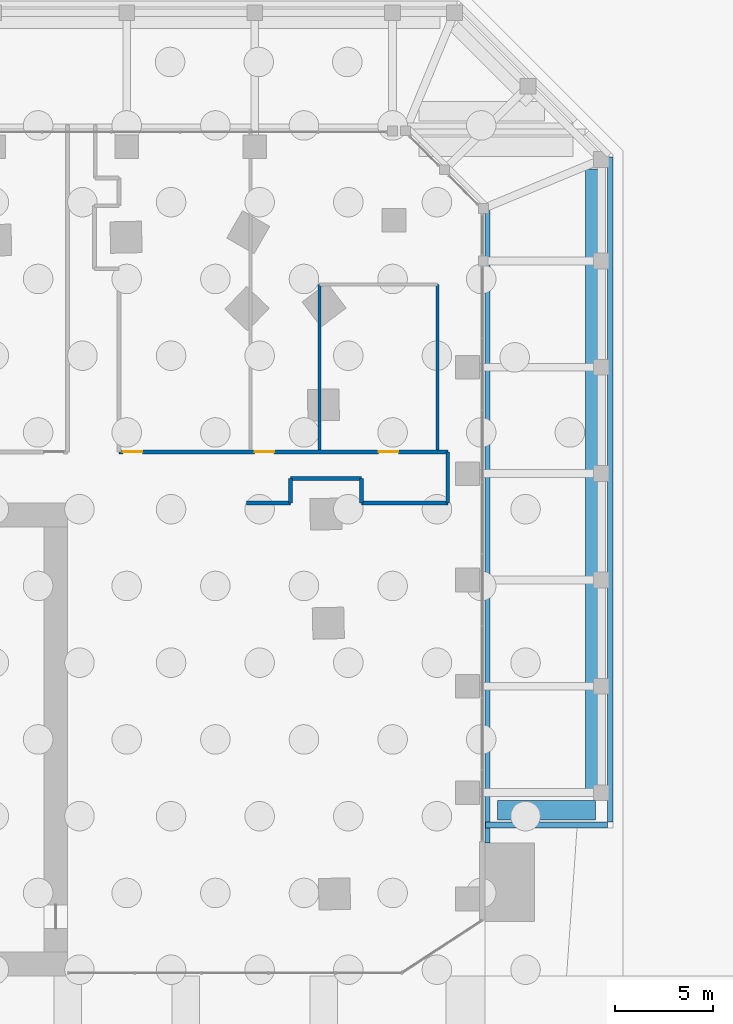
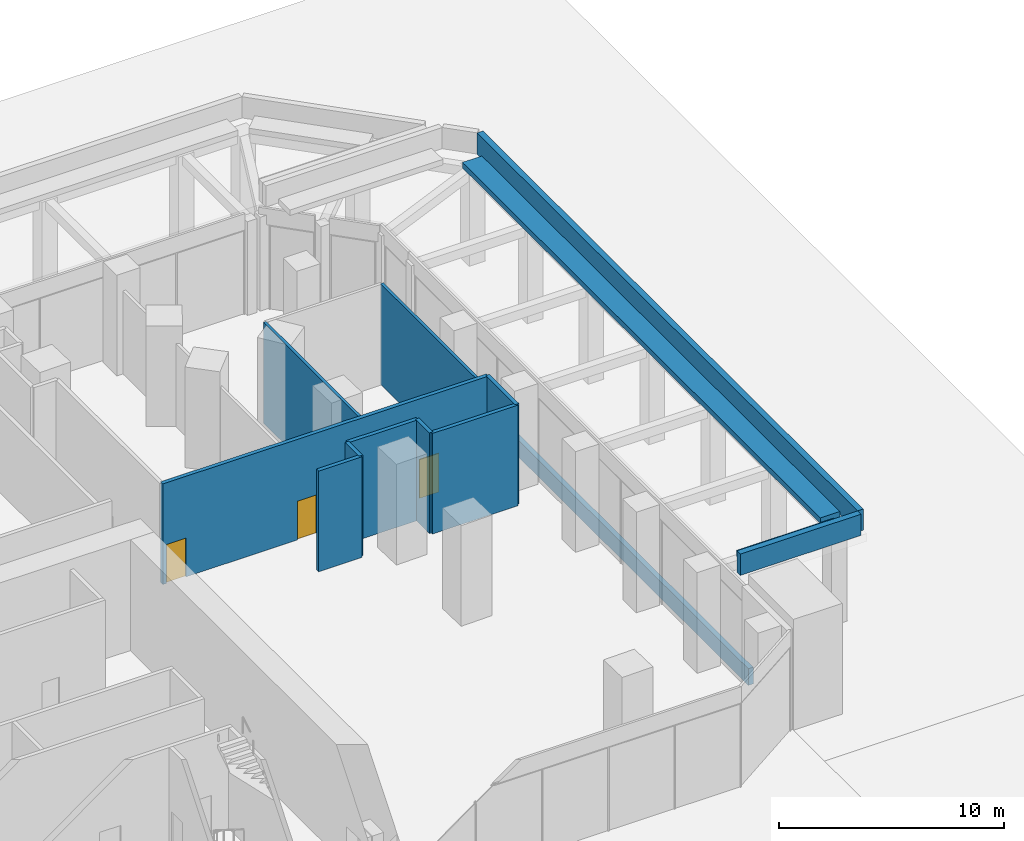
# One storey, part 41 of 46: 14 walls, 3 doors, 3 openings.
"""IFC4 building model written with IfcOpenShell, lengths in metres."""

from ifc_helpers import new_model, si_unit, direction, frame, frame_2d, origin, place, context, subcontext, project, spatial, rectangle, extrude, material, layer, layer_set, type_object, element, fill, save


model = new_model("IFC4")

# Units and contexts
model_context = context("Model", 3, precision=1e-05, world=origin(), true_north=direction((0.0, 1.0)))
body_context = subcontext(model_context, "Body", "Model", "MODEL_VIEW")
ifc_project = project(units=[si_unit("LENGTHUNIT", "METRE"), si_unit("AREAUNIT", "SQUARE_METRE"), si_unit("VOLUMEUNIT", "CUBIC_METRE"), si_unit("PLANEANGLEUNIT", "RADIAN"), si_unit("MASSUNIT", "GRAM", prefix="KILO")], contexts=[model_context])

# Site, building, storey
site_placement = place(None, origin())
site = spatial("IfcSite", under=ifc_project, at=site_placement, CompositionType="ELEMENT")
building_placement = place(site_placement, origin())
building = spatial("IfcBuilding", under=site, at=building_placement, Name="Mangrove Gate Tower", CompositionType="ELEMENT")
storey_placement = place(building_placement, origin())
storey = spatial("IfcBuildingStorey", under=building, at=storey_placement, Name="L00", CompositionType="ELEMENT", Elevation=0.0)

# Walls
ifc_material_1 = material(Name="Limestone", Category="masonry")
ifc_layer_1 = layer(ifc_material_1, 0.300048828125, Name="Limestone canopy parapet")
ifc_layer_set_1 = layer_set([ifc_layer_1], Name="Canopy parapet 300 limestone")
wall_type_1 = type_object("IfcWallType", Name="Canopy parapet 300 limestone", PredefinedType="PARAPET", material=ifc_layer_set_1)
wall_1_placement = place(storey_placement, frame((36.219970703125, -4.35009765625, 5.5), z_axis=(0.0, 0.0, 1.0), x_axis=(1.0, 0.0, 0.0)))
element("IfcWall", 1, at=wall_1_placement, inside=storey, type_object=wall_type_1, Name="Canopy parapet E 0.1", PredefinedType="PARAPET", context=body_context, shape_type="SweptSolid", body=[
    extrude(rectangle(XDim=6.179931640625, YDim=0.300048828125, at=frame_2d((3.08984375, 0.0))), origin(), (0.0, 0.0, 1.0), 1.14990234375),
])
wall_2_placement = place(storey_placement, frame((42.550048828125, -4.199951171875, 5.5), z_axis=(0.0, 0.0, 1.0), x_axis=(0.0, 1.0, 0.0)))
element("IfcWall", 2, at=wall_2_placement, inside=storey, type_object=wall_type_1, Name="Canopy parapet E 0.2", PredefinedType="PARAPET", context=body_context, shape_type="SweptSolid", body=[
    extrude(rectangle(XDim=33.76806640625, YDim=0.300048828125, at=frame_2d((16.884033203125, 0.0))), origin(), (0.0, 0.0, 1.0), 1.14990234375),
])
ifc_material_2 = material(Name="Green roof substrate in aluminium tray", Category="aluminium")
ifc_layer_2 = layer(ifc_material_2, 1.0, Name="Planting bed")
ifc_layer_set_2 = layer_set([ifc_layer_2], Name="Canopy planter bed 1000x300")
wall_type_2 = type_object("IfcWallType", Name="Canopy planter bed 1000x300", PredefinedType="SOLIDWALL", material=ifc_layer_set_2)
wall_3_placement = place(storey_placement, frame((36.820068359375, -3.60009765625, 5.5), z_axis=(0.0, 0.0, 1.0), x_axis=(1.0, 0.0, 0.0)))
element("IfcWall", 3, at=wall_3_placement, inside=storey, type_object=wall_type_2, Name="CANOPY PLANTING E 0.1", PredefinedType="SOLIDWALL", context=body_context, shape_type="SweptSolid", body=[
    extrude(rectangle(XDim=4.97998046875, YDim=1.0, at=frame_2d((2.489990234375, 0.0))), origin(), (0.0, 0.0, 1.0), 0.300048828125),
])
wall_4_placement = place(storey_placement, frame((41.800048828125, -2.800048828125, 5.5), z_axis=(0.0, 0.0, 1.0), x_axis=(0.0, 1.0, 0.0)))
element("IfcWall", 4, at=wall_4_placement, inside=storey, type_object=wall_type_2, Name="CANOPY PLANTING E 0.2", PredefinedType="SOLIDWALL", context=body_context, shape_type="SweptSolid", body=[
    extrude(rectangle(XDim=31.76806640625, YDim=1.0, at=frame_2d((15.884033203125, 0.0))), origin(), (0.0, 0.0, 1.0), 0.300048828125),
])
ifc_material_3 = material(Name="Gypsum board on steel stud, EI 60", Category="steel")
ifc_layer_3 = layer(ifc_material_3, 0.199951171875)
ifc_layer_set_3 = layer_set([ifc_layer_3], Name="Corridor wall EI 60")
wall_type_3 = type_object("IfcWallType", Name="Corridor wall EI 60", PredefinedType="PARTITIONING", material=ifc_layer_set_3)
wall_5_placement = place(storey_placement, frame((24.0859375, 12.0, 0.0), z_axis=(0.0, 0.0, 1.0), x_axis=(1.0, 0.0, 0.0)))
element("IfcWall", 5, at=wall_5_placement, inside=storey, type_object=wall_type_3, Name="WALL-L00-007", PredefinedType="PARTITIONING", context=body_context, shape_type="SweptSolid", body=[
    extrude(rectangle(XDim=2.22412109375, YDim=0.199951171875, at=frame_2d((1.112060546875, 0.0))), origin(), (0.0, 0.0, 1.0), 5.449951171875),
])
wall_6_placement = place(storey_placement, frame((26.31005859375, 12.0, 0.0), z_axis=(0.0, 0.0, 1.0), x_axis=(0.0, 1.0, 0.0)))
element("IfcWall", 6, at=wall_6_placement, inside=storey, type_object=wall_type_3, Name="WALL-L00-008", PredefinedType="PARTITIONING", context=body_context, shape_type="SweptSolid", body=[
    extrude(rectangle(XDim=1.243896484375, YDim=0.199951171875, at=frame_2d((0.6220703125, 0.0))), origin(), (0.0, 0.0, 1.0), 5.449951171875),
])
wall_7_placement = place(storey_placement, frame((29.909912109375, 12.0, 0.0), z_axis=(0.0, 0.0, 1.0), x_axis=(1.0, 0.0, 0.0)))
element("IfcWall", 7, at=wall_7_placement, inside=storey, type_object=wall_type_3, Name="WALL-L00-009", PredefinedType="PARTITIONING", context=body_context, shape_type="SweptSolid", body=[
    extrude(rectangle(XDim=4.39013671875, YDim=0.199951171875, at=frame_2d((2.195068359375, 0.0))), origin(), (0.0, 0.0, 1.0), 5.449951171875),
])
wall_8_placement = place(storey_placement, frame((29.909912109375, 12.0, 0.0), z_axis=(0.0, 0.0, 1.0), x_axis=(0.0, 1.0, 0.0)))
element("IfcWall", 8, at=wall_8_placement, inside=storey, type_object=wall_type_3, Name="WALL-L00-010", PredefinedType="PARTITIONING", context=body_context, shape_type="SweptSolid", body=[
    extrude(rectangle(XDim=1.243896484375, YDim=0.199951171875, at=frame_2d((0.6220703125, 0.0))), origin(), (0.0, 0.0, 1.0), 5.449951171875),
])
wall_9_placement = place(storey_placement, frame((34.300048828125, 12.0, 0.0), z_axis=(0.0, 0.0, 1.0), x_axis=(0.0, 1.0, 0.0)))
element("IfcWall", 9, at=wall_9_placement, inside=storey, type_object=wall_type_3, Name="WALL-L00-011", PredefinedType="PARTITIONING", context=body_context, shape_type="SweptSolid", body=[
    extrude(rectangle(XDim=2.60009765625, YDim=0.199951171875, at=frame_2d((1.300048828125, 0.0))), origin(), (0.0, 0.0, 1.0), 5.449951171875),
])
wall_10_placement = place(storey_placement, frame((26.31005859375, 13.239990234375, 0.0), z_axis=(0.0, 0.0, 1.0), x_axis=(1.0, 0.0, 0.0)))
element("IfcWall", 10, at=wall_10_placement, inside=storey, type_object=wall_type_3, Name="WALL-L00-012", PredefinedType="PARTITIONING", context=body_context, shape_type="SweptSolid", body=[
    extrude(rectangle(XDim=3.599853515625, YDim=0.199951171875, at=frame_2d((1.7998046875, 0.0))), origin(), (0.0, 0.0, 1.0), 5.449951171875),
])

# Wall, openings, doors
wall_11_placement = place(storey_placement, frame((17.60009765625, 14.60009765625, 0.0), z_axis=(0.0, 0.0, 1.0), x_axis=(1.0, 0.0, 0.0)))
wall_11 = element("IfcWall", 11, at=wall_11_placement, inside=storey, type_object=wall_type_3, Name="WALL-L00-024", PredefinedType="PARTITIONING", context=body_context, shape_type="SweptSolid", body=[
    extrude(rectangle(XDim=16.699951171875, YDim=0.199951171875, at=frame_2d((8.35009765625, 0.0))), origin(), (0.0, 0.0, 1.0), 5.449951171875),
])
opening_1_placement = place(wall_11_placement, frame((13.196044921875, 0.0, 0.0)))
opening_1 = element("IfcOpeningElement", 12, at=opening_1_placement, cuts=wall_11, Name="Opening AD", PredefinedType="OPENING", context=body_context, shape_type="SweptSolid", body=[
    extrude(rectangle(XDim=1.0, YDim=2.10009765625, at=frame_2d((0.5, 1.050048828125))), frame((0.0, 0.10986328125, 0.0), z_axis=(0.0, -1.0, 0.0), x_axis=(1.0, 0.0, 0.0)), (0.0, 0.0, 1.0), 0.219970703125),
])
opening_2_placement = place(wall_11_placement, frame((0.199951171875, 0.0, 0.0)))
opening_2 = element("IfcOpeningElement", 13, at=opening_2_placement, cuts=wall_11, Name="Opening AD", PredefinedType="OPENING", context=body_context, shape_type="SweptSolid", body=[
    extrude(rectangle(XDim=1.0, YDim=2.10009765625, at=frame_2d((0.5, 1.050048828125))), frame((0.0, 0.10986328125, 0.0), z_axis=(0.0, -1.0, 0.0), x_axis=(1.0, 0.0, 0.0)), (0.0, 0.0, 1.0), 0.219970703125),
])
opening_3_placement = place(wall_11_placement, frame((6.889892578125, 0.0, 0.0)))
opening_3 = element("IfcOpeningElement", 14, at=opening_3_placement, cuts=wall_11, Name="Opening AD", PredefinedType="OPENING", context=body_context, shape_type="SweptSolid", body=[
    extrude(rectangle(XDim=1.0, YDim=2.10009765625, at=frame_2d((0.5, 1.050048828125))), frame((0.0, 0.10986328125, 0.0), z_axis=(0.0, -1.0, 0.0), x_axis=(1.0, 0.0, 0.0)), (0.0, 0.0, 1.0), 0.219970703125),
])
ifc_material_4 = material(Name="Timber door leaf", Category="wood")
door_type = type_object("IfcDoorType", Name="Amenity door 1000", OperationType="SINGLE_SWING_LEFT", PredefinedType="DOOR", material=ifc_material_4)
door_1_placement = place(opening_1_placement, origin())
door_1 = element("IfcDoor", 15, at=door_1_placement, inside=storey, type_object=door_type, Name="DOOR-L00-POD-03", OperationType="SINGLE_SWING_LEFT", OverallHeight=2.10009765625, OverallWidth=1.0, PredefinedType="DOOR", context=body_context, shape_type="SweptSolid", body=[
    extrude(rectangle(XDim=1.0, YDim=2.10009765625, at=frame_2d((0.5, 1.050048828125))), frame((0.0, 0.02490234375, 0.0), z_axis=(0.0, -1.0, 0.0), x_axis=(1.0, 0.0, 0.0)), (0.0, 0.0, 1.0), 0.050048828125),
])
fill(opening_1, door_1)
door_2_placement = place(opening_2_placement, origin())
door_2 = element("IfcDoor", 16, at=door_2_placement, inside=storey, type_object=door_type, Name="DOOR-L00-POD-08", OperationType="SINGLE_SWING_RIGHT", OverallHeight=2.10009765625, OverallWidth=1.0, PredefinedType="DOOR", context=body_context, shape_type="SweptSolid", body=[
    extrude(rectangle(XDim=1.0, YDim=2.10009765625, at=frame_2d((0.5, 1.050048828125))), frame((0.0, 0.02490234375, 0.0), z_axis=(0.0, -1.0, 0.0), x_axis=(1.0, 0.0, 0.0)), (0.0, 0.0, 1.0), 0.050048828125),
])
fill(opening_2, door_2)
door_3_placement = place(opening_3_placement, origin())
door_3 = element("IfcDoor", 17, at=door_3_placement, inside=storey, type_object=door_type, Name="DOOR-L00-POD-03b", OperationType="SINGLE_SWING_LEFT", OverallHeight=2.10009765625, OverallWidth=1.0, PredefinedType="DOOR", context=body_context, shape_type="SweptSolid", body=[
    extrude(rectangle(XDim=1.0, YDim=2.10009765625, at=frame_2d((0.5, 1.050048828125))), frame((0.0, 0.02490234375, 0.0), z_axis=(0.0, -1.0, 0.0), x_axis=(1.0, 0.0, 0.0)), (0.0, 0.0, 1.0), 0.050048828125),
])
fill(opening_3, door_3)

# Walls
ifc_material_5 = material(Name="Gypsum board on steel stud, EI 60", Category="steel")
ifc_layer_4 = layer(ifc_material_5, 0.14990234375)
ifc_layer_set_4 = layer_set([ifc_layer_4], Name="Party wall 150 EI 60")
wall_type_4 = type_object("IfcWallType", Name="Party wall 150 EI 60", PredefinedType="PARTITIONING", material=ifc_layer_set_4)
for number, where, z_axis, x_axis, name in (
    (18, (27.7900390625, 14.699951171875, 0.0), (0.0, 0.0, 1.0), (0.0, 1.0, 0.0), "WALL-L00-027"),
    (19, (33.7900390625, 14.699951171875, 0.0), (0.0, 0.0, 1.0), (0.0, 1.0, 0.0), "WALL-L00-028"),
):
    element("IfcWall", number, at=place(storey_placement, frame(where, z_axis=z_axis, x_axis=x_axis)), inside=storey, type_object=wall_type_4, Name=name, PredefinedType="PARTITIONING", context=body_context, shape_type="SweptSolid", body=[
        extrude(rectangle(XDim=8.400146484375, YDim=0.14990234375, at=frame_2d((4.2001953125, 0.0))), origin(), (0.0, 0.0, 1.0), 5.449951171875),
    ])
ifc_layer_5 = layer(ifc_material_1, 0.25, Name="Limestone plinth course")
ifc_layer_set_5 = layer_set([ifc_layer_5], Name="Podium plinth 250 limestone")
wall_type_5 = type_object("IfcWallType", Name="Podium plinth 250 limestone", PredefinedType="STANDARD", material=ifc_layer_set_5)
wall_12_placement = place(storey_placement, frame((36.324951171875, -5.25, 0.0), z_axis=(0.0, 0.0, 1.0), x_axis=(0.0, 1.0, 0.0)))
element("IfcWall", 20, at=wall_12_placement, inside=storey, type_object=wall_type_5, Name="Podium plinth E 2", PredefinedType="STANDARD", context=body_context, shape_type="SweptSolid", body=[
    extrude(rectangle(XDim=32.25, YDim=0.25, at=frame_2d((16.125, 0.0))), origin(), (0.0, 0.0, 1.0), 0.89990234375),
])

save(model, "model.ifc")
